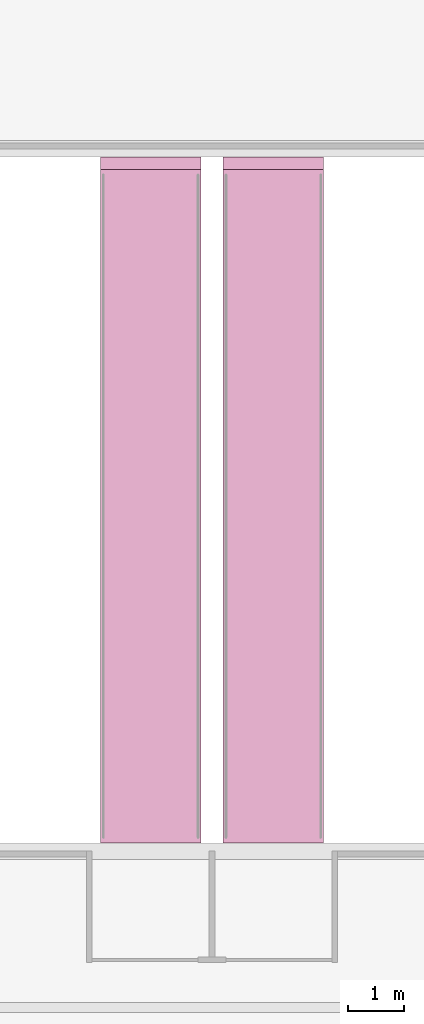
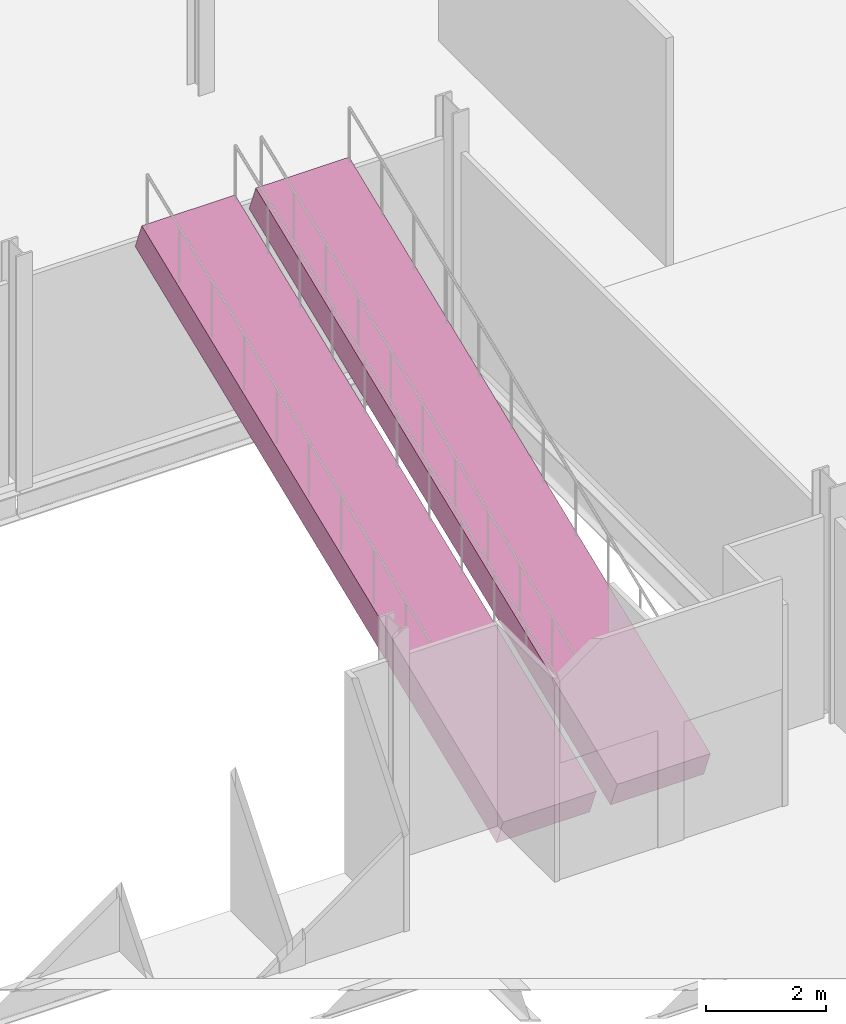
# One storey, part 57 of 57: 2 transport elements.
"""IFC4 building model written with IfcOpenShell, lengths in metres."""

from ifc_helpers import new_model, si_unit, direction, frame, origin, origin_2d, place, context, subcontext, project, spatial, rectangle, extrude, material, material_profile, profile_set, type_object, element, save


model = new_model("IFC4")

# Units and contexts
model_context = context("Model", 3, precision=1e-05, world=origin(), true_north=direction((0.0, 1.0)))
body_context = subcontext(model_context, "Body", "Model", "MODEL_VIEW")
ifc_project = project(units=[si_unit("LENGTHUNIT", "METRE"), si_unit("AREAUNIT", "SQUARE_METRE"), si_unit("VOLUMEUNIT", "CUBIC_METRE"), si_unit("PLANEANGLEUNIT", "RADIAN"), si_unit("MASSUNIT", "GRAM", prefix="KILO")], contexts=[model_context])

# Site, building, storey
site_placement = place(None, origin())
site = spatial("IfcSite", under=ifc_project, at=site_placement, CompositionType="ELEMENT")
building_placement = place(site_placement, origin())
building = spatial("IfcBuilding", under=site, at=building_placement, Name="Galleria Vessillo Department Store", CompositionType="ELEMENT")
storey_placement = place(building_placement, frame((0.0, 0.0, 21.0)))
storey = spatial("IfcBuildingStorey", under=building, at=storey_placement, Name="L04", CompositionType="ELEMENT", Elevation=21.0)

# Transport elements
ifc_material = material(Name="Steel S355 J2", Category="steel")
ifc_material_profile = material_profile(ifc_material, rectangle(XDim=1.800048828125, YDim=0.60009765625, at=origin_2d()), Name="Escalator truss 1800 x 600")
ifc_profile_set = profile_set([ifc_material_profile], Name="Steel S355 J2")
transport_element_type = type_object("IfcTransportElementType", Name="Escalator truss 1400 mm steps", PredefinedType="ESCALATOR", material=ifc_profile_set)
for number, where, z_axis, x_axis, name in (
    (1, (70.300048828125, 25.461669921875, -0.4404296875), (0.0, 0.928200792304, 0.372079681207), (-1.0, 0.0, 0.0), "Escalator ES9 L04 to L05"),
    (2, (72.5, 25.461669921875, -0.4404296875), (0.0, 0.928200792304, 0.372079681207), (-1.0, 0.0, 0.0), "Escalator ES10 L04 to L05"),
):
    element("IfcTransportElement", number, at=place(storey_placement, frame(where, z_axis=z_axis, x_axis=x_axis)), inside=storey, type_object=transport_element_type, Name=name, PredefinedType="ESCALATOR", context=body_context, shape_type="SweptSolid", body=[
        extrude(rectangle(XDim=1.800048828125, YDim=0.60009765625, at=origin_2d()), origin(), (0.0, 0.0, 1.0), 13.0107421875),
    ])

save(model, "model.ifc")
